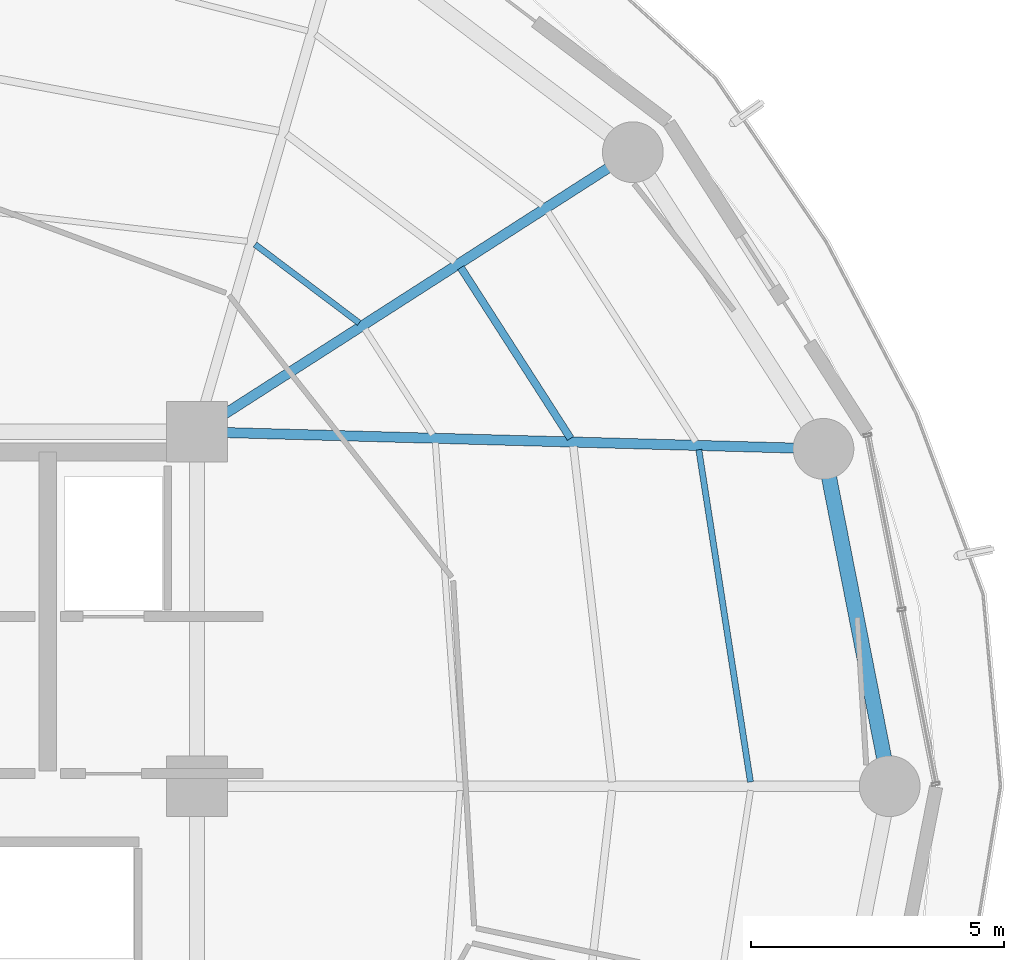
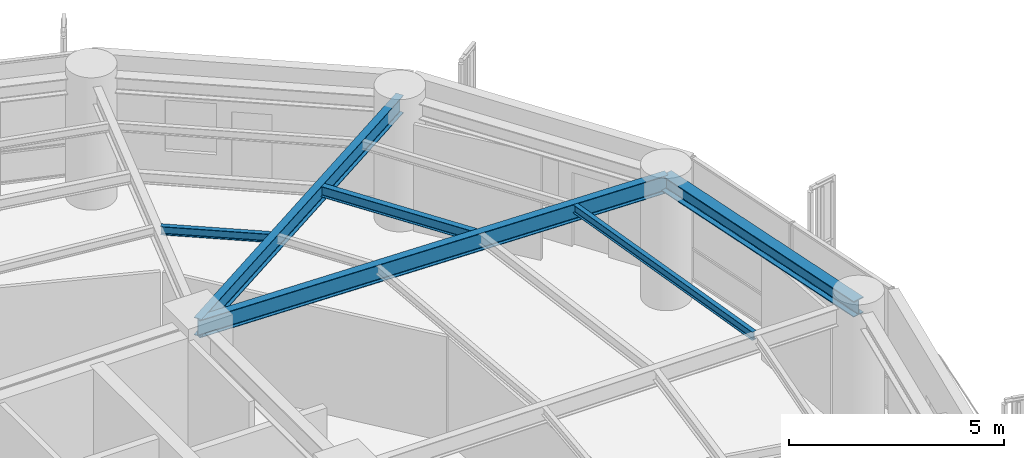
# One storey, part 14 of 27: 6 beams.
"""IFC4 building model written with IfcOpenShell, lengths in metres."""

from ifc_helpers import new_model, si_unit, direction, frame, origin, origin_2d, place, context, subcontext, project, spatial, i_section, extrude, material, material_profile, profile_set, type_object, element, save


model = new_model("IFC4")

# Units and contexts
model_context = context("Model", 3, precision=1e-05, world=origin(), true_north=direction((0.0, 1.0)))
body_context = subcontext(model_context, "Body", "Model", "MODEL_VIEW")
ifc_project = project(units=[si_unit("LENGTHUNIT", "METRE"), si_unit("AREAUNIT", "SQUARE_METRE"), si_unit("VOLUMEUNIT", "CUBIC_METRE"), si_unit("PLANEANGLEUNIT", "RADIAN"), si_unit("MASSUNIT", "GRAM", prefix="KILO")], contexts=[model_context])

# Site, building, storey
site_placement = place(None, origin())
site = spatial("IfcSite", under=ifc_project, at=site_placement, CompositionType="ELEMENT")
building_placement = place(site_placement, origin())
building = spatial("IfcBuilding", under=site, at=building_placement, Name="Kelanora Arch Commons", CompositionType="ELEMENT")
storey_placement = place(building_placement, frame((0.0, 0.0, 146.85009765625)))
storey = spatial("IfcBuildingStorey", under=building, at=storey_placement, Name="L37", CompositionType="ELEMENT", Elevation=146.85009765625)

# Beams
ifc_material = material(Name="Steel S355", Category="steel")
ifc_material_profile_1 = material_profile(ifc_material, i_section(OverallWidth=0.14990234375, OverallDepth=0.300048828125, WebThickness=0.007080078125, FlangeThickness=0.0107421875, FilletRadius=0.014892578125, at=origin_2d()), Name="IPE300")
ifc_profile_set_1 = profile_set([ifc_material_profile_1], Name="Steel S355")
beam_type_1 = type_object("IfcBeamType", Name="BM-JST-01", PredefinedType="JOIST", material=ifc_profile_set_1)
beam_1_placement = place(storey_placement, frame((89.377685546875, 64.869140625, 3.33984375), z_axis=(-0.540594434398, 0.841283339606, 0.0), x_axis=(-0.841283339606, -0.540594434398, 0.0)))
element("IfcBeam", 1, at=beam_1_placement, inside=storey, type_object=beam_type_1, Name="Secondary Chord Joist BJB-02 L37", PredefinedType="JOIST", context=body_context, shape_type="SweptSolid", body=[
    extrude(i_section(OverallWidth=0.14990234375, OverallDepth=0.300048828125, WebThickness=0.007080078125, FlangeThickness=0.0107421875, FilletRadius=0.014892578125, at=origin_2d()), origin(), (0.0, 0.0, 1.0), 4.008544921875),
])
ifc_material_profile_2 = material_profile(ifc_material, i_section(OverallWidth=0.1201171875, OverallDepth=0.239990234375, WebThickness=0.006103515625, FlangeThickness=0.009765625, FilletRadius=0.014892578125, at=origin_2d()), Name="IPE240")
ifc_profile_set_2 = profile_set([ifc_material_profile_2], Name="Steel S355")
beam_type_2 = type_object("IfcBeamType", Name="BM-JST-02", PredefinedType="JOIST", material=ifc_profile_set_2)
beam_2_placement = place(storey_placement, frame((92.930908203125, 58.083984375, 3.369873046875), z_axis=(-0.153562625853, 0.988138917329, 0.0), x_axis=(-0.988138917329, -0.153562625853, 0.0)))
element("IfcBeam", 2, at=beam_2_placement, inside=storey, type_object=beam_type_2, Name="Secondary Chord Joist BJC-00 L37", PredefinedType="JOIST", context=body_context, shape_type="SweptSolid", body=[
    extrude(i_section(OverallWidth=0.1201171875, OverallDepth=0.239990234375, WebThickness=0.006103515625, FlangeThickness=0.009765625, FilletRadius=0.014892578125, at=origin_2d()), origin(), (0.0, 0.0, 1.0), 6.640869140625),
])
beam_3_placement = place(storey_placement, frame((85.203125, 67.1494140625, 3.369873046875), z_axis=(-0.798484118859, 0.602015873487, 0.0), x_axis=(-0.602015873487, -0.798484118859, 0.0)))
element("IfcBeam", 3, at=beam_3_placement, inside=storey, type_object=beam_type_2, Name="Secondary Chord Joist BJA-04 L37", PredefinedType="JOIST", context=body_context, shape_type="SweptSolid", body=[
    extrude(i_section(OverallWidth=0.1201171875, OverallDepth=0.239990234375, WebThickness=0.006103515625, FlangeThickness=0.009765625, FilletRadius=0.014892578125, at=origin_2d()), origin(), (0.0, 0.0, 1.0), 2.57470703125),
])
ifc_material_profile_3 = material_profile(ifc_material, i_section(OverallWidth=0.199951171875, OverallDepth=0.5, WebThickness=0.01025390625, FlangeThickness=0.01611328125, FilletRadius=0.02099609375, at=origin_2d()), Name="IPE500")
ifc_profile_set_3 = profile_set([ifc_material_profile_3], Name="Steel S355")
beam_type_3 = type_object("IfcBeamType", Name="BM-RAD-Z3", PredefinedType="BEAM", material=ifc_profile_set_3)
beam_4_placement = place(storey_placement, frame((82.0, 65.0, 3.239990234375), z_axis=(0.999628374924, -0.027260081577, 0.0), x_axis=(0.027260081577, 0.999628374924, 0.0)))
element("IfcBeam", 4, at=beam_4_placement, inside=storey, type_object=beam_type_3, Name="Radial Floor Girder BR-02 L37", PredefinedType="BEAM", context=body_context, shape_type="SweptSolid", body=[
    extrude(i_section(OverallWidth=0.199951171875, OverallDepth=0.5, WebThickness=0.01025390625, FlangeThickness=0.01611328125, FilletRadius=0.02099609375, at=origin_2d()), origin(), (0.0, 0.0, 1.0), 12.377197265625),
])
beam_5_placement = place(storey_placement, frame((82.0, 65.0, 3.239990234375), z_axis=(0.841719465748, 0.539915123868, 0.0), x_axis=(-0.539915123868, 0.841719465748, 0.0)))
element("IfcBeam", 5, at=beam_5_placement, inside=storey, type_object=beam_type_3, Name="Radial Floor Girder BR-04 L37", PredefinedType="BEAM", context=body_context, shape_type="SweptSolid", body=[
    extrude(i_section(OverallWidth=0.199951171875, OverallDepth=0.5, WebThickness=0.01025390625, FlangeThickness=0.01611328125, FilletRadius=0.02099609375, at=origin_2d()), origin(), (0.0, 0.0, 1.0), 10.2265625),
])
ifc_material_profile_4 = material_profile(ifc_material, i_section(OverallWidth=0.300048828125, OverallDepth=0.449951171875, WebThickness=0.013916015625, FlangeThickness=0.02587890625, FilletRadius=0.027099609375, at=origin_2d()), Name="HEB450")
ifc_profile_set_4 = profile_set([ifc_material_profile_4], Name="Steel S355")
beam_type_4 = type_object("IfcBeamType", Name="BM-SPN-Z3", PredefinedType="SPANDREL", material=ifc_profile_set_4)
beam_6_placement = place(storey_placement, frame((95.679931640625, 58.0, 3.264892578125), z_axis=(-0.192553643556, 0.981286448675, 0.0), x_axis=(-0.981286448675, -0.192553643556, 0.0)))
element("IfcBeam", 6, at=beam_6_placement, inside=storey, type_object=beam_type_4, Name="Perimeter Spandrel Beam BS-00 L37", PredefinedType="SPANDREL", context=body_context, shape_type="SweptSolid", body=[
    extrude(i_section(OverallWidth=0.300048828125, OverallDepth=0.449951171875, WebThickness=0.013916015625, FlangeThickness=0.02587890625, FilletRadius=0.027099609375, at=origin_2d()), origin(), (0.0, 0.0, 1.0), 6.78955078125),
])

save(model, "model.ifc")
